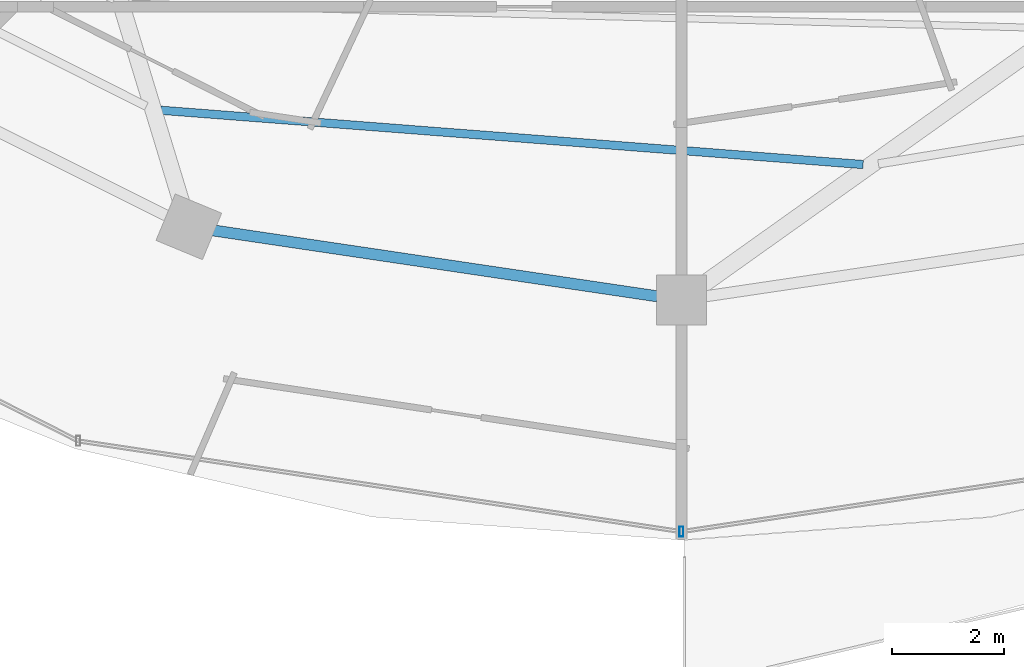
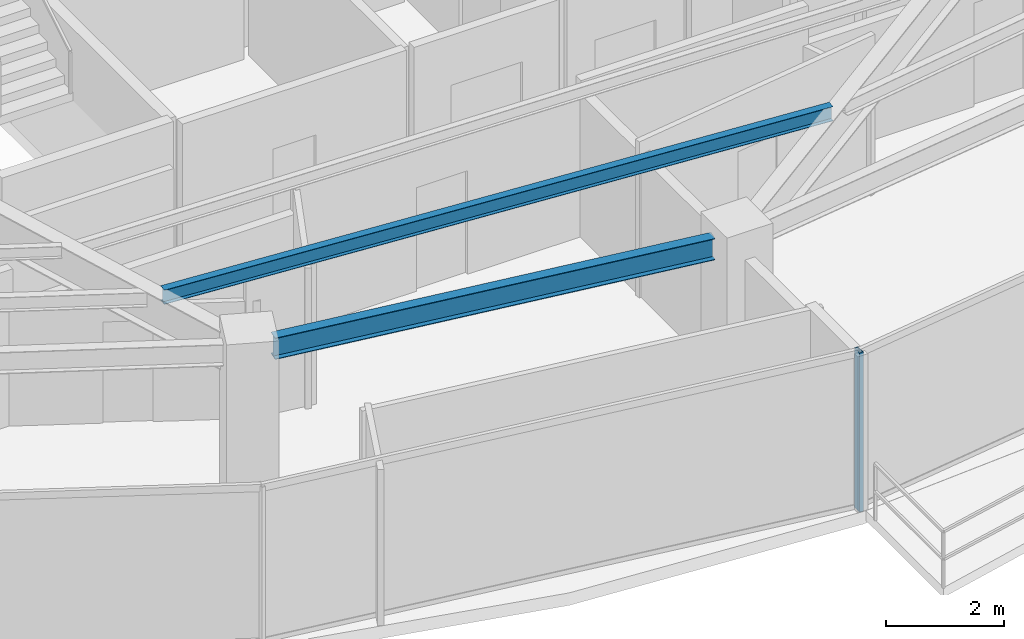
# One storey, part 5 of 31: 2 beams, 1 member, 1 element without a shape of its own.
"""IFC4 building model written with IfcOpenShell, lengths in metres."""

from ifc_helpers import new_model, si_unit, direction, frame, origin, origin_2d, place, context, subcontext, project, spatial, hollow_rectangle, i_section, extrude, material, material_profile, profile_set, type_object, element, aggregate, save


model = new_model("IFC4")

# Units and contexts
model_context = context("Model", 3, precision=1e-05, world=origin(), true_north=direction((0.0, 1.0)))
body_context = subcontext(model_context, "Body", "Model", "MODEL_VIEW")
ifc_project = project(units=[si_unit("LENGTHUNIT", "METRE"), si_unit("AREAUNIT", "SQUARE_METRE"), si_unit("VOLUMEUNIT", "CUBIC_METRE"), si_unit("PLANEANGLEUNIT", "RADIAN"), si_unit("MASSUNIT", "GRAM", prefix="KILO")], contexts=[model_context])

# Site, building, storey
site_placement = place(None, origin())
site = spatial("IfcSite", under=ifc_project, at=site_placement, CompositionType="ELEMENT")
building_placement = place(site_placement, origin())
building = spatial("IfcBuilding", under=site, at=building_placement, Name="Vorneva Point Tower", CompositionType="ELEMENT")
storey_placement = place(building_placement, frame((0.0, 0.0, 193.10009765625)))
storey = spatial("IfcBuildingStorey", under=building, at=storey_placement, Name="L52", CompositionType="ELEMENT", Elevation=193.10009765625)

# Beams
ifc_material_1 = material(Name="Steel S355", Category="steel")
ifc_material_profile_1 = material_profile(ifc_material_1, i_section(OverallWidth=0.14892578125, OverallDepth=0.298095703125, WebThickness=0.005615234375, FlangeThickness=0.008056640625, at=origin_2d()), Name="30B1")
ifc_profile_set_1 = profile_set([ifc_material_profile_1], Name="Steel S355")
beam_type_1 = type_object("IfcBeamType", Name="BM-JST-30B1", PredefinedType="JOIST", material=ifc_profile_set_1)
beam_1_placement = place(storey_placement, frame((28.678466796875, 12.196533203125, 3.0908203125), z_axis=(0.997025265707, -0.077075414639, 0.0), x_axis=(0.077075414639, 0.997025265707, 0.0)))
element("IfcBeam", 1, at=beam_1_placement, inside=storey, type_object=beam_type_1, Name="L52 Secondary Floor Beam 1.12", PredefinedType="JOIST", context=body_context, shape_type="SweptSolid", body=[
    extrude(i_section(OverallWidth=0.14892578125, OverallDepth=0.298095703125, WebThickness=0.005615234375, FlangeThickness=0.008056640625, at=origin_2d()), origin(), (0.0, 0.0, 1.0), 12.61328125),
])
ifc_material_profile_2 = material_profile(ifc_material_1, i_section(OverallWidth=0.198974609375, OverallDepth=0.446044921875, WebThickness=0.008056640625, FlangeThickness=0.011962890625, at=origin_2d()), Name="45B1")
ifc_profile_set_2 = profile_set([ifc_material_profile_2], Name="Steel S355")
beam_type_2 = type_object("IfcBeamType", Name="BM-SPN-45B1", PredefinedType="SPANDREL", material=ifc_profile_set_2)
beam_2_placement = place(storey_placement, frame((29.609375, 10.04541015625, 3.016845703125), z_axis=(0.989165476332, -0.146804837907, 0.0), x_axis=(0.146804837907, 0.989165476332, 0.0)))
element("IfcBeam", 2, at=beam_2_placement, inside=storey, type_object=beam_type_2, Name="L52 Perimeter Spandrel Ring Beam 12", PredefinedType="SPANDREL", context=body_context, shape_type="SweptSolid", body=[
    extrude(i_section(OverallWidth=0.198974609375, OverallDepth=0.446044921875, WebThickness=0.008056640625, FlangeThickness=0.011962890625, at=origin_2d()), origin(), (0.0, 0.0, 1.0), 8.04736328125),
])

# Curtain wall, member
ifc_material_2 = material(Name="Pale anodised aluminium", Category="aluminium")
curtain_wall_type = type_object("IfcCurtainWallType", Name="CW-RES-SYS", PredefinedType="NOTDEFINED", material=ifc_material_2)
curtain_wall_placement = place(storey_placement, origin())
curtain_wall = element("IfcCurtainWall", 3, at=curtain_wall_placement, inside=storey, type_object=curtain_wall_type, Name="L52 Unitised Curtain Wall CW-L52-R04", PredefinedType="NOTDEFINED")
ifc_material_profile_3 = material_profile(ifc_material_2, hollow_rectangle(XDim=0.074951171875, YDim=0.179931640625, WallThickness=0.00390625, at=origin_2d()), Name="AL-MUL 180x75x4")
ifc_profile_set_3 = profile_set([ifc_material_profile_3], Name="Pale anodised aluminium")
member_type = type_object("IfcMemberType", Name="CW-MUL-180", PredefinedType="MULLION", material=ifc_profile_set_3)
member_placement = place(storey_placement, frame((38.0, 4.64990234375, -0.0400390625), z_axis=(0.0, 0.0, 1.0), x_axis=(1.0, 0.0, 0.0)))
member = element("IfcMember", 4, at=member_placement, type_object=member_type, Name="CW-L52-R04 Mullion 03", PredefinedType="MULLION", context=body_context, shape_type="SweptSolid", body=[
    extrude(hollow_rectangle(XDim=0.074951171875, YDim=0.179931640625, WallThickness=0.00390625, at=origin_2d()), origin(), (0.0, 0.0, 1.0), 3.31005859375),
])
aggregate(curtain_wall, [member])

save(model, "model.ifc")
